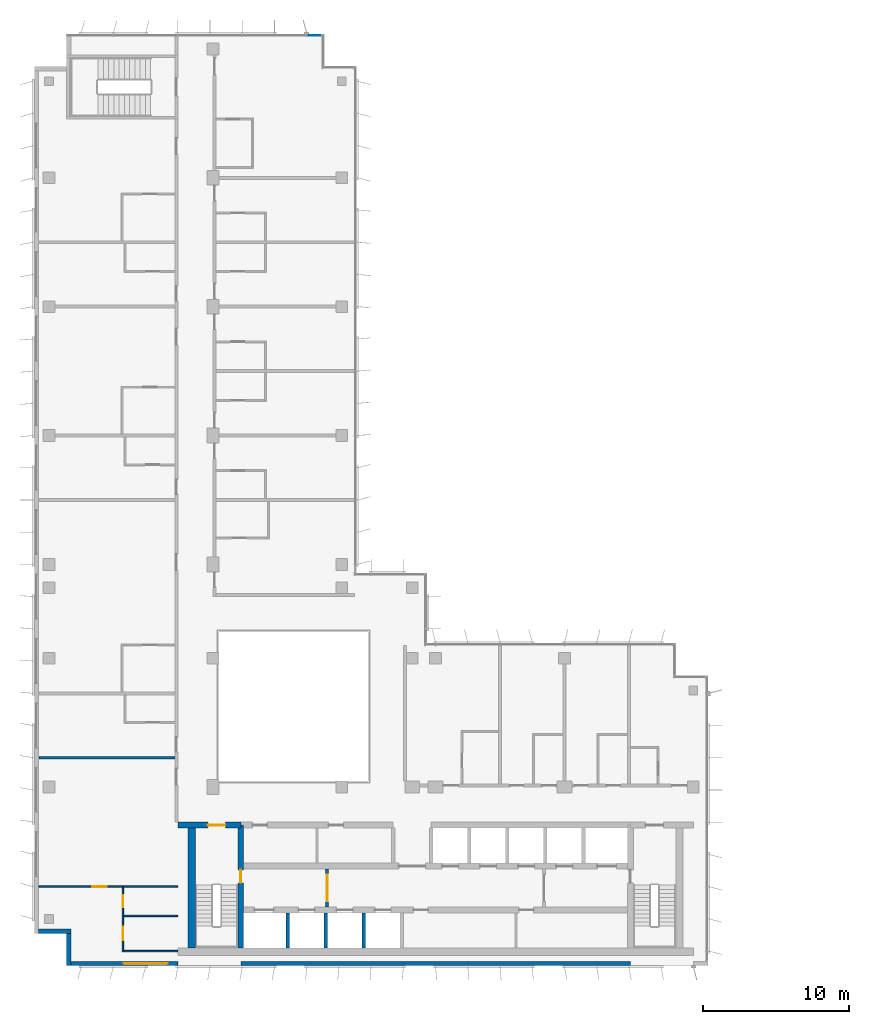
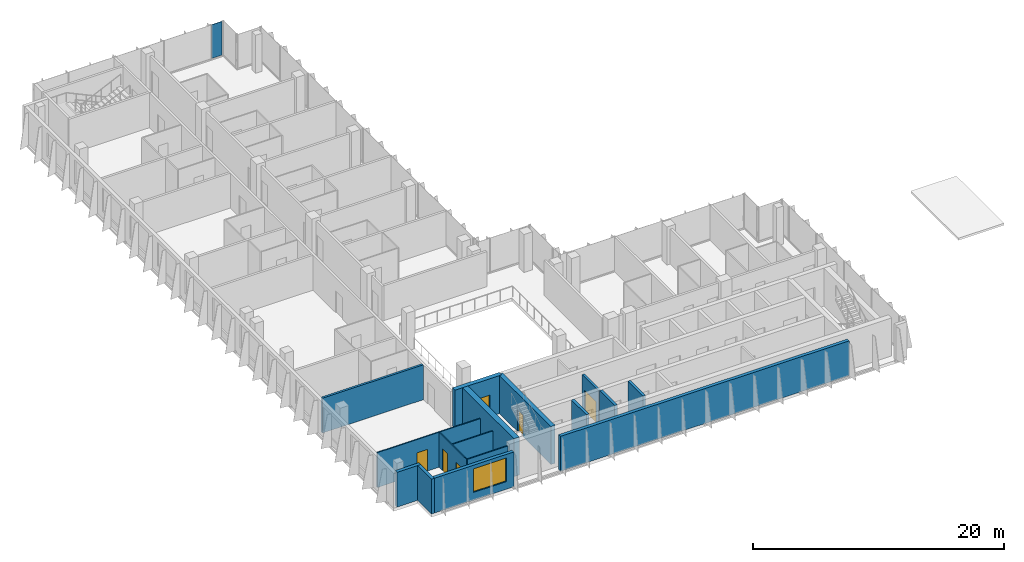
# One storey, part 9 of 17: 16 walls, 6 doors, 1 plate, 1 window, 7 openings, 1 element without a shape of its own.
"""IFC4 building model written with IfcOpenShell, lengths in metres."""

from ifc_helpers import new_model, si_unit, direction, frame, frame_2d, origin, origin_2d, place, context, subcontext, project, spatial, rectangle, extrude, source, transform, mapped, material, layer, layer_set, type_object, element, fill, aggregate, save


model = new_model("IFC4")

# Units and contexts
model_context = context("Model", 3, precision=1e-05, world=origin(), true_north=direction((0.0, 1.0)))
body_context = subcontext(model_context, "Body", "Model", "MODEL_VIEW")
ifc_project = project(units=[si_unit("LENGTHUNIT", "METRE"), si_unit("AREAUNIT", "SQUARE_METRE"), si_unit("VOLUMEUNIT", "CUBIC_METRE"), si_unit("PLANEANGLEUNIT", "RADIAN"), si_unit("MASSUNIT", "GRAM", prefix="KILO")], contexts=[model_context])

# Site, building, storey
site_placement = place(None, origin())
site = spatial("IfcSite", under=ifc_project, at=site_placement, CompositionType="ELEMENT")
building_placement = place(site_placement, origin())
building = spatial("IfcBuilding", under=site, at=building_placement, Name="Kemantara Hotel Tower", CompositionType="ELEMENT")
storey_placement = place(building_placement, frame((0.0, 0.0, 226.5)))
storey = spatial("IfcBuildingStorey", under=building, at=storey_placement, Name="L56", CompositionType="ELEMENT", Elevation=226.5)

# Curtain wall, plate
ifc_material_1 = material(Name="Low-E tinted double insulated glass 36 mm", Category="glass")
curtain_wall_type = type_object("IfcCurtainWallType", Name="TOWER CURTAIN WALL, FRONT FACES", PredefinedType="USERDEFINED", material=ifc_material_1)
curtain_wall_placement = place(storey_placement, origin())
curtain_wall = element("IfcCurtainWall", 1, at=curtain_wall_placement, inside=storey, type_object=curtain_wall_type, Name="CW4 L56 T4-R02-1", ObjectType="TOWER CURTAIN WALL, FRONT FACES", PredefinedType="USERDEFINED")
ifc_layer_1 = layer(ifc_material_1, 0.035888671875)
ifc_layer_set_1 = layer_set([ifc_layer_1], Name="Low-E tinted double insulated glass 36 mm")
plate_type = type_object("IfcPlateType", Name="TOWER CURTAIN WALL, FRONT FACES PANEL", PredefinedType="CURTAIN_PANEL", material=ifc_layer_set_1)
shared_shape = source(origin(), body_context, "Body", "SweptSolid", [
    extrude(rectangle(XDim=0.9599609375, YDim=0.035888671875, at=origin_2d()), origin(), (0.0, 0.0, 1.0), 3.280029296875),
])
plate_placement = place(storey_placement, frame((19.110107421875, 63.52490234375, 0.1201171875), z_axis=(0.0, 0.0, 1.0), x_axis=(-1.0, 0.0, 0.0)))
plate = element("IfcPlate", 2, at=plate_placement, type_object=plate_type, Name="CW4 glass panel T4-R02-1.1", PredefinedType="CURTAIN_PANEL", context=body_context, shape_type="MappedRepresentation", body=[
    mapped(shared_shape, transform((0.0, 0.0, 0.0))),
])
aggregate(curtain_wall, [plate])

# Walls
ifc_material_2 = material(Name="Bronze anodised aluminium cladding on insulated steel stud wall", Category="steel")
ifc_layer_2 = layer(ifc_material_2, 0.300048828125)
ifc_layer_set_2 = layer_set([ifc_layer_2], Name="Bronze anodised aluminium cladding on insulated steel stud wall")
wall_type_1 = type_object("IfcWallType", Name="BRONZE METAL-CLAD EXTERNAL WALL 300", PredefinedType="STANDARD", material=ifc_layer_set_2)
for number, where, z_axis, x_axis, name in (
    (3, (0.300048828125, 2.35009765625, 0.0), (0.0, 0.0, 1.0), (1.0, 0.0, 0.0), "EXTERNAL WALL L56 T4-R06"),
    (4, (2.35009765625, 2.199951171875, 0.0), (0.0, 0.0, 1.0), (0.0, -1.0, 0.0), "EXTERNAL WALL L56 T4-R07"),
):
    element("IfcWall", number, at=place(storey_placement, frame(where, z_axis=z_axis, x_axis=x_axis)), inside=storey, type_object=wall_type_1, Name=name, PredefinedType="STANDARD", context=body_context, shape_type="SweptSolid", body=[
        extrude(rectangle(XDim=2.199951171875, YDim=0.300048828125, at=frame_2d((1.10009765625, 0.0))), origin(), (0.0, 0.0, 1.0), 3.39990234375),
    ])

# Wall, opening, window
wall_1_placement = place(storey_placement, frame((2.5, 0.14990234375, 0.0), z_axis=(0.0, 0.0, 1.0), x_axis=(1.0, 0.0, 0.0)))
wall_1 = element("IfcWall", 5, at=wall_1_placement, inside=storey, type_object=wall_type_1, Name="EXTERNAL WALL L56 T4-R08", PredefinedType="STANDARD", context=body_context, shape_type="SweptSolid", body=[
    extrude(rectangle(XDim=7.300048828125, YDim=0.300048828125, at=frame_2d((3.64990234375, 0.0))), origin(), (0.0, 0.0, 1.0), 3.39990234375),
])
opening_1_placement = place(wall_1_placement, frame((3.60009765625, 0.0, 0.75)))
opening_1 = element("IfcOpeningElement", 6, at=opening_1_placement, cuts=wall_1, Name="Opening W1", PredefinedType="OPENING", context=body_context, shape_type="SweptSolid", body=[
    extrude(rectangle(XDim=3.0, YDim=2.300048828125, at=frame_2d((1.5, 1.14990234375))), frame((0.0, 0.159912109375, 0.0), z_axis=(0.0, -1.0, 0.0), x_axis=(1.0, 0.0, 0.0)), (0.0, 0.0, 1.0), 0.320068359375),
])
ifc_material_3 = material(Name="Low-E tinted double insulated glass in bronze anodised aluminium frame", Category="aluminium")
window_type = type_object("IfcWindowType", Name="CHICAGO WINDOW, TRIPLE PANEL 3000x2300", PartitioningType="TRIPLE_PANEL_VERTICAL", PredefinedType="WINDOW", material=ifc_material_3)
window_placement = place(opening_1_placement, origin())
window = element("IfcWindow", 7, at=window_placement, inside=storey, type_object=window_type, Name="CHICAGO WINDOW L56 T4-R08-54", OverallHeight=2.300048828125, OverallWidth=3.0, PartitioningType="SINGLE_PANEL", PredefinedType="WINDOW", context=body_context, shape_type="SweptSolid", body=[
    extrude(rectangle(XDim=3.0, YDim=2.300048828125, at=frame_2d((1.5, 1.14990234375))), frame((0.0, 0.030029296875, 0.0), z_axis=(0.0, -1.0, 0.0), x_axis=(1.0, 0.0, 0.0)), (0.0, 0.0, 1.0), 0.06005859375),
])
fill(opening_1, window)

# Walls
wall_2_placement = place(storey_placement, frame((14.10009765625, 0.14990234375, 0.0), z_axis=(0.0, 0.0, 1.0), x_axis=(1.0, 0.0, 0.0)))
element("IfcWall", 8, at=wall_2_placement, inside=storey, type_object=wall_type_1, Name="EXTERNAL WALL L56 T4-R08-2", PredefinedType="STANDARD", context=body_context, shape_type="SweptSolid", body=[
    extrude(rectangle(XDim=26.599853515625, YDim=0.300048828125, at=frame_2d((13.2998046875, 0.0))), origin(), (0.0, 0.0, 1.0), 3.39990234375),
])
ifc_material_4 = material(Name="Concrete fc 60 MPa", Category="concrete")
ifc_layer_3 = layer(ifc_material_4, 0.25)
ifc_layer_set_3 = layer_set([ifc_layer_3], Name="Concrete fc 60 MPa")
wall_type_2 = type_object("IfcWallType", Name="CORE WALL 250 FC60", PredefinedType="SHEAR", material=ifc_layer_set_3)
for number, where, z_axis, x_axis, name in (
    (9, (17.300048828125, 1.199951171875, 0.0), (0.0, 0.0, 1.0), (0.0, 1.0, 0.0), "CORE WALL CW-DS17.3"),
    (10, (19.89990234375, 1.199951171875, 0.0), (0.0, 0.0, 1.0), (0.0, 1.0, 0.0), "CORE WALL CW-DS19.9"),
    (11, (22.5, 1.199951171875, 0.0), (0.0, 0.0, 1.0), (0.0, 1.0, 0.0), "CORE WALL CW-DS22.5"),
):
    element("IfcWall", number, at=place(storey_placement, frame(where, z_axis=z_axis, x_axis=x_axis)), inside=storey, type_object=wall_type_2, Name=name, PredefinedType="SHEAR", context=body_context, shape_type="SweptSolid", body=[
        extrude(rectangle(XDim=2.400146484375, YDim=0.25, at=frame_2d((1.2001953125, 0.0))), origin(), (0.0, 0.0, 1.0), 3.699951171875),
    ])

# Wall, opening, door
ifc_layer_4 = layer(ifc_material_4, 0.39990234375)
ifc_layer_set_4 = layer_set([ifc_layer_4], Name="Concrete fc 60 MPa")
wall_type_3 = type_object("IfcWallType", Name="CORE WALL 400 FC60", PredefinedType="SHEAR", material=ifc_layer_set_4)
wall_3_placement = place(storey_placement, frame((9.800048828125, 9.60009765625, 0.0), z_axis=(0.0, 0.0, 1.0), x_axis=(1.0, 0.0, 0.0)))
wall_3 = element("IfcWall", 12, at=wall_3_placement, inside=storey, type_object=wall_type_3, Name="CORE WALL CW-N1", PredefinedType="SHEAR", context=body_context, shape_type="SweptSolid", body=[
    extrude(rectangle(XDim=4.300048828125, YDim=0.39990234375, at=frame_2d((2.14990234375, 0.0))), origin(), (0.0, 0.0, 1.0), 3.699951171875),
])
opening_2_placement = place(wall_3_placement, frame((2.050048828125, 0.0, 0.0)))
opening_2 = element("IfcOpeningElement", 13, at=opening_2_placement, cuts=wall_3, Name="Opening C35-ST1-C", PredefinedType="OPENING", context=body_context, shape_type="SweptSolid", body=[
    extrude(rectangle(XDim=1.199951171875, YDim=2.10009765625, at=frame_2d((0.60009765625, 1.050048828125))), frame((0.0, 0.2099609375, 0.0), z_axis=(0.0, -1.0, 0.0), x_axis=(1.0, 0.0, 0.0)), (0.0, 0.0, 1.0), 0.419921875),
])
ifc_material_5 = material(Name="Steel fire door", Category="steel")
door_type_1 = type_object("IfcDoorType", Name="Fire door FD90 1200 x 2100", OperationType="NOTDEFINED", PredefinedType="DOOR", material=ifc_material_5)
door_1_placement = place(opening_2_placement, frame((1.199951171875, 0.0, 0.0), z_axis=(0.0, 0.0, 1.0), x_axis=(-1.0, 0.0, 0.0)))
door_1 = element("IfcDoor", 14, at=door_1_placement, inside=storey, type_object=door_type_1, Name="Stair ST1 door to corridor", OperationType="SINGLE_SWING_LEFT", OverallHeight=2.10009765625, OverallWidth=1.199951171875, PredefinedType="DOOR", context=body_context, shape_type="SweptSolid", body=[
    extrude(rectangle(XDim=1.199951171875, YDim=2.10009765625, at=frame_2d((0.60009765625, 1.050048828125))), frame((0.0, 0.02490234375, 0.0), z_axis=(0.0, -1.0, 0.0), x_axis=(1.0, 0.0, 0.0)), (0.0, 0.0, 1.0), 0.050048828125),
])
fill(opening_2, door_1)

wall_4_placement = place(storey_placement, frame((14.10009765625, 1.199951171875, 0.0), z_axis=(0.0, 0.0, 1.0), x_axis=(0.0, 1.0, 0.0)))
wall_4 = element("IfcWall", 15, at=wall_4_placement, inside=storey, type_object=wall_type_3, Name="CORE WALL CW-ST1E", PredefinedType="SHEAR", context=body_context, shape_type="SweptSolid", body=[
    extrude(rectangle(XDim=8.400146484375, YDim=0.39990234375, at=frame_2d((4.2001953125, 0.0))), origin(), (0.0, 0.0, 1.0), 3.699951171875),
])
opening_3_placement = place(wall_4_placement, frame((4.449951171875, 0.0, 0.0)))
opening_3 = element("IfcOpeningElement", 16, at=opening_3_placement, cuts=wall_4, Name="Opening C35-ST1-F", PredefinedType="OPENING", context=body_context, shape_type="SweptSolid", body=[
    extrude(rectangle(XDim=0.89990234375, YDim=2.10009765625, at=frame_2d((0.449951171875, 1.050048828125))), frame((0.0, 0.2099609375, 0.0), z_axis=(0.0, -1.0, 0.0), x_axis=(1.0, 0.0, 0.0)), (0.0, 0.0, 1.0), 0.419921875),
])
door_type_2 = type_object("IfcDoorType", Name="Fire door FD90 900 x 2100", OperationType="NOTDEFINED", PredefinedType="DOOR", material=ifc_material_5)
door_2_placement = place(opening_3_placement, origin())
door_2 = element("IfcDoor", 17, at=door_2_placement, inside=storey, type_object=door_type_2, Name="Stair ST1 door to firefighting lobby", OperationType="SINGLE_SWING_RIGHT", OverallHeight=2.10009765625, OverallWidth=0.89990234375, PredefinedType="DOOR", context=body_context, shape_type="SweptSolid", body=[
    extrude(rectangle(XDim=0.89990234375, YDim=2.10009765625, at=frame_2d((0.449951171875, 1.050048828125))), frame((0.0, 0.02490234375, 0.0), z_axis=(0.0, -1.0, 0.0), x_axis=(1.0, 0.0, 0.0)), (0.0, 0.0, 1.0), 0.050048828125),
])
fill(opening_3, door_2)

# Walls
ifc_layer_5 = layer(ifc_material_4, 0.5)
ifc_layer_set_5 = layer_set([ifc_layer_5], Name="Concrete fc 60 MPa")
wall_type_4 = type_object("IfcWallType", Name="CORE WALL 500 FC60", PredefinedType="SHEAR", material=ifc_layer_set_5)
wall_5_placement = place(storey_placement, frame((10.75, 1.199951171875, 0.0), z_axis=(0.0, 0.0, 1.0), x_axis=(0.0, 1.0, 0.0)))
element("IfcWall", 18, at=wall_5_placement, inside=storey, type_object=wall_type_4, Name="CORE WALL CW-W", PredefinedType="SHEAR", context=body_context, shape_type="SweptSolid", body=[
    extrude(rectangle(XDim=8.60009765625, YDim=0.5, at=frame_2d((4.300048828125, 0.0))), origin(), (0.0, 0.0, 1.0), 3.699951171875),
])
ifc_material_6 = material(Name="Gypsum board partition, steel studs and mineral wool, 200 mm", Category="steel")
ifc_layer_6 = layer(ifc_material_6, 0.199951171875)
ifc_layer_set_6 = layer_set([ifc_layer_6], Name="Gypsum board partition, steel studs and mineral wool, 200 mm")
wall_type_5 = type_object("IfcWallType", Name="GUEST ROOM PARTY WALL 200", PredefinedType="PARTITIONING", material=ifc_layer_set_6)
wall_6_placement = place(storey_placement, frame((0.31005859375, 14.199951171875, 0.0), z_axis=(0.0, 0.0, 1.0), x_axis=(1.0, 0.0, 0.0)))
element("IfcWall", 19, at=wall_6_placement, inside=storey, type_object=wall_type_5, Name="GUEST ROOM PARTY WALL 200 010", PredefinedType="PARTITIONING", context=body_context, shape_type="SweptSolid", body=[
    extrude(rectangle(XDim=9.2900390625, YDim=0.199951171875, at=frame_2d((4.64501953125, 0.0))), origin(), (0.0, 0.0, 1.0), 3.39990234375),
])

# Wall, opening, door
ifc_material_7 = material(Name="Gypsum board shaft wall")
ifc_layer_7 = layer(ifc_material_7, 0.199951171875)
ifc_layer_set_7 = layer_set([ifc_layer_7], Name="Gypsum board shaft wall")
wall_type_6 = type_object("IfcWallType", Name="Gypsum board shaft wall 200 mm", PredefinedType="PARTITIONING", material=ifc_layer_set_7)
wall_7_placement = place(storey_placement, frame((20.0, 4.0, 0.0), z_axis=(0.0, 0.0, 1.0), x_axis=(0.0, 1.0, 0.0)))
wall_7 = element("IfcWall", 20, at=wall_7_placement, inside=storey, type_object=wall_type_6, Name="Firefighting lobby partition west", PredefinedType="PARTITIONING", context=body_context, shape_type="SweptSolid", body=[
    extrude(rectangle(XDim=2.60009765625, YDim=0.199951171875, at=frame_2d((1.300048828125, 0.0))), origin(), (0.0, 0.0, 1.0), 3.39990234375),
])
opening_4_placement = place(wall_7_placement, frame((0.39990234375, 0.0, 0.0)))
opening_4 = element("IfcOpeningElement", 21, at=opening_4_placement, cuts=wall_7, Name="Opening C35-FFW", PredefinedType="OPENING", context=body_context, shape_type="SweptSolid", body=[
    extrude(rectangle(XDim=1.800048828125, YDim=2.10009765625, at=frame_2d((0.89990234375, 1.050048828125))), frame((0.0, 0.10986328125, 0.0), z_axis=(0.0, -1.0, 0.0), x_axis=(1.0, 0.0, 0.0)), (0.0, 0.0, 1.0), 0.219970703125),
])
door_type_3 = type_object("IfcDoorType", Name="Fire door pair FD60 1800 x 2100", OperationType="DOUBLE_DOOR_SINGLE_SWING", PredefinedType="DOOR", material=ifc_material_5)
door_3_placement = place(opening_4_placement, origin())
door_3 = element("IfcDoor", 22, at=door_3_placement, inside=storey, type_object=door_type_3, Name="Firefighting lobby door west", OperationType="DOUBLE_DOOR_SINGLE_SWING", OverallHeight=2.10009765625, OverallWidth=1.800048828125, PredefinedType="DOOR", context=body_context, shape_type="SweptSolid", body=[
    extrude(rectangle(XDim=1.800048828125, YDim=2.10009765625, at=frame_2d((0.89990234375, 1.050048828125))), frame((0.0, 0.02490234375, 0.0), z_axis=(0.0, -1.0, 0.0), x_axis=(1.0, 0.0, 0.0)), (0.0, 0.0, 1.0), 0.050048828125),
])
fill(opening_4, door_3)

# Wall, openings, doors
ifc_material_8 = material(Name="Gypsum board partition on steel studs, 100 mm", Category="steel")
ifc_layer_8 = layer(ifc_material_8, 0.10009765625)
ifc_layer_set_8 = layer_set([ifc_layer_8], Name="Gypsum board partition on steel studs, 100 mm")
wall_type_7 = type_object("IfcWallType", Name="ROOM PARTITION 100", PredefinedType="PARTITIONING", material=ifc_layer_set_8)
wall_8_placement = place(storey_placement, frame((6.050048828125, 5.35009765625, 0.0), z_axis=(0.0, 0.0, 1.0), x_axis=(0.0, -1.0, 0.0)))
wall_8 = element("IfcWall", 23, at=wall_8_placement, inside=storey, type_object=wall_type_7, Name="ROOM PARTITION 100 036", PredefinedType="PARTITIONING", context=body_context, shape_type="SweptSolid", body=[
    extrude(rectangle(XDim=4.400146484375, YDim=0.10009765625, at=frame_2d((2.2001953125, 0.0))), origin(), (0.0, 0.0, 1.0), 3.39990234375),
])
opening_5_placement = place(wall_8_placement, frame((2.699951171875, 0.0, 0.0)))
opening_5 = element("IfcOpeningElement", 24, at=opening_5_placement, cuts=wall_8, Name="Opening F27-011", PredefinedType="OPENING", context=body_context, shape_type="SweptSolid", body=[
    extrude(rectangle(XDim=0.89990234375, YDim=2.10009765625, at=frame_2d((0.449951171875, 1.050048828125))), frame((0.0, 0.06005859375, 0.0), z_axis=(0.0, -1.0, 0.0), x_axis=(1.0, 0.0, 0.0)), (0.0, 0.0, 1.0), 0.1201171875),
])
opening_6_placement = place(wall_8_placement, frame((0.550048828125, 0.0, 0.0)))
opening_6 = element("IfcOpeningElement", 25, at=opening_6_placement, cuts=wall_8, Name="Opening F27-012", PredefinedType="OPENING", context=body_context, shape_type="SweptSolid", body=[
    extrude(rectangle(XDim=0.800048828125, YDim=2.10009765625, at=frame_2d((0.39990234375, 1.050048828125))), frame((0.0, 0.06005859375, 0.0), z_axis=(0.0, -1.0, 0.0), x_axis=(1.0, 0.0, 0.0)), (0.0, 0.0, 1.0), 0.1201171875),
])
ifc_material_9 = material(Name="Hardwood veneer door leaf with steel frame", Category="steel")
door_type_4 = type_object("IfcDoorType", Name="BATHROOM DOOR 900 X 2100", OperationType="NOTDEFINED", PredefinedType="DOOR", material=ifc_material_9)
door_4_placement = place(opening_5_placement, origin())
door_4 = element("IfcDoor", 26, at=door_4_placement, inside=storey, type_object=door_type_4, Name="BATHROOM DOOR F27-011", OperationType="SINGLE_SWING_LEFT", OverallHeight=2.10009765625, OverallWidth=0.89990234375, PredefinedType="DOOR", context=body_context, shape_type="SweptSolid", body=[
    extrude(rectangle(XDim=0.89990234375, YDim=2.10009765625, at=frame_2d((0.449951171875, 1.050048828125))), frame((0.0, 0.02490234375, 0.0), z_axis=(0.0, -1.0, 0.0), x_axis=(1.0, 0.0, 0.0)), (0.0, 0.0, 1.0), 0.050048828125),
])
fill(opening_5, door_4)
door_type_5 = type_object("IfcDoorType", Name="WARDROBE DOOR 800 X 2100", OperationType="NOTDEFINED", PredefinedType="DOOR", material=ifc_material_9)
door_5_placement = place(opening_6_placement, origin())
door_5 = element("IfcDoor", 27, at=door_5_placement, inside=storey, type_object=door_type_5, Name="WARDROBE DOOR F27-012", OperationType="SINGLE_SWING_LEFT", OverallHeight=2.10009765625, OverallWidth=0.800048828125, PredefinedType="DOOR", context=body_context, shape_type="SweptSolid", body=[
    extrude(rectangle(XDim=0.800048828125, YDim=2.10009765625, at=frame_2d((0.39990234375, 1.050048828125))), frame((0.0, 0.02490234375, 0.0), z_axis=(0.0, -1.0, 0.0), x_axis=(1.0, 0.0, 0.0)), (0.0, 0.0, 1.0), 0.050048828125),
])
fill(opening_6, door_5)

# Wall, opening, door
wall_9_placement = place(storey_placement, frame((9.7998046875, 5.39990234375, 0.0), z_axis=(0.0, 0.0, 1.0), x_axis=(-1.0, 0.0, 0.0)))
wall_9 = element("IfcWall", 28, at=wall_9_placement, inside=storey, type_object=wall_type_7, Name="ROOM PARTITION 100 037", PredefinedType="PARTITIONING", context=body_context, shape_type="SweptSolid", body=[
    extrude(rectangle(XDim=9.48974609375, YDim=0.10009765625, at=frame_2d((4.744873046875, 0.0))), origin(), (0.0, 0.0, 1.0), 3.39990234375),
])
opening_7_placement = place(wall_9_placement, frame((4.849853515625, 0.0, 0.0)))
opening_7 = element("IfcOpeningElement", 29, at=opening_7_placement, cuts=wall_9, Name="Opening F27-010", PredefinedType="OPENING", context=body_context, shape_type="SweptSolid", body=[
    extrude(rectangle(XDim=1.0, YDim=2.10009765625, at=frame_2d((0.5, 1.050048828125))), frame((0.0, 0.06005859375, 0.0), z_axis=(0.0, -1.0, 0.0), x_axis=(1.0, 0.0, 0.0)), (0.0, 0.0, 1.0), 0.1201171875),
])
door_type_6 = type_object("IfcDoorType", Name="INTERNAL DOOR 1000 X 2100", OperationType="NOTDEFINED", PredefinedType="DOOR", material=ifc_material_9)
door_6_placement = place(opening_7_placement, origin())
door_6 = element("IfcDoor", 30, at=door_6_placement, inside=storey, type_object=door_type_6, Name="INTERNAL DOOR F27-010", OperationType="SINGLE_SWING_LEFT", OverallHeight=2.10009765625, OverallWidth=1.0, PredefinedType="DOOR", context=body_context, shape_type="SweptSolid", body=[
    extrude(rectangle(XDim=1.0, YDim=2.10009765625, at=frame_2d((0.5, 1.050048828125))), frame((0.0, 0.02490234375, 0.0), z_axis=(0.0, -1.0, 0.0), x_axis=(1.0, 0.0, 0.0)), (0.0, 0.0, 1.0), 0.050048828125),
])
fill(opening_7, door_6)

# Walls
for number, where, z_axis, x_axis, name in (
    (31, (6.10009765625, 1.0, 0.0), (0.0, 0.0, 1.0), (1.0, 0.0, 0.0), "ROOM PARTITION 100 038"),
    (32, (6.10009765625, 3.39990234375, 0.0), (0.0, 0.0, 1.0), (1.0, 0.0, 0.0), "ROOM PARTITION 100 039"),
):
    element("IfcWall", number, at=place(storey_placement, frame(where, z_axis=z_axis, x_axis=x_axis)), inside=storey, type_object=wall_type_7, Name=name, PredefinedType="PARTITIONING", context=body_context, shape_type="SweptSolid", body=[
        extrude(rectangle(XDim=3.69970703125, YDim=0.10009765625, at=frame_2d((1.849853515625, 0.0))), origin(), (0.0, 0.0, 1.0), 3.39990234375),
    ])

save(model, "model.ifc")
